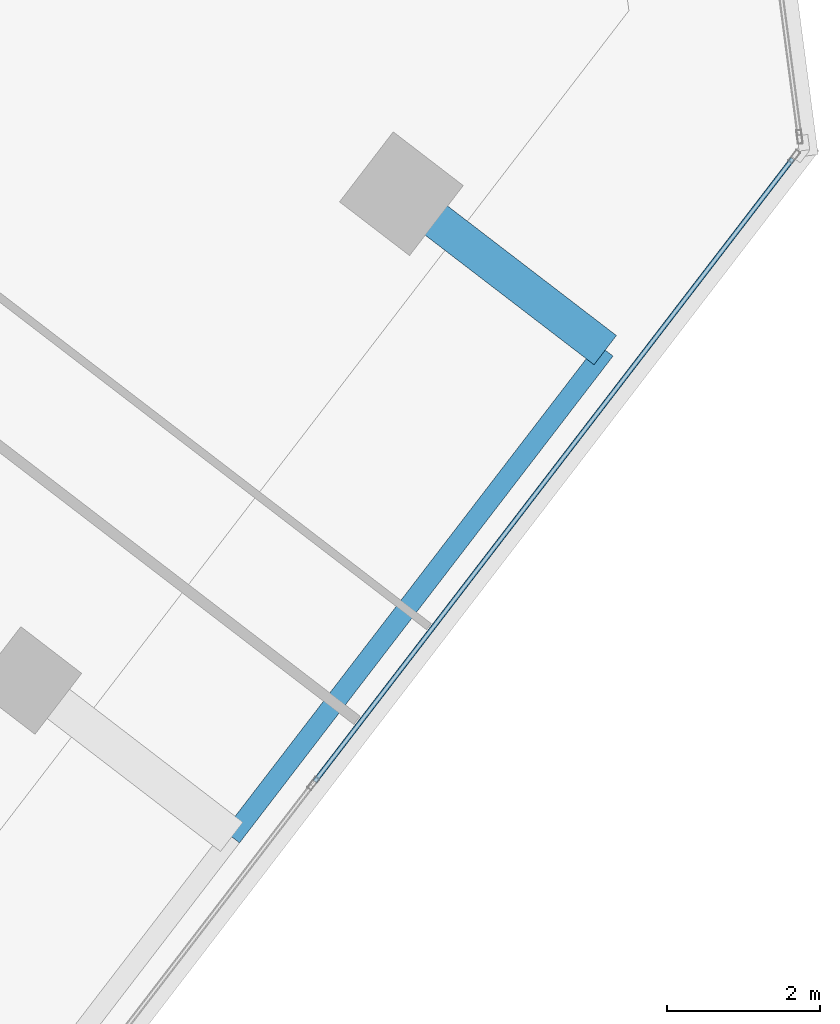
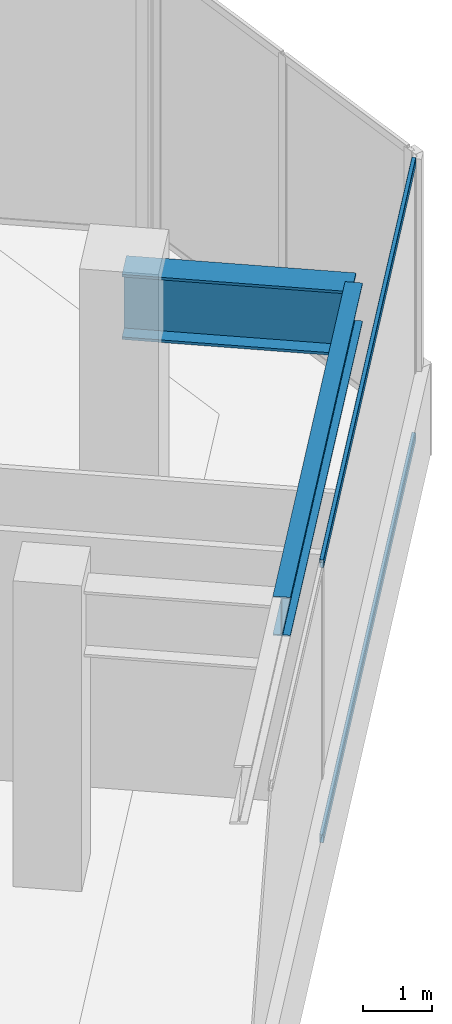
# One storey, part 8 of 23: 2 beams, 2 members, 1 element without a shape of its own.
"""IFC4 building model written with IfcOpenShell, lengths in metres."""

from ifc_helpers import new_model, si_unit, direction, frame, origin, origin_2d, place, context, subcontext, project, spatial, hollow_rectangle, i_section, extrude, source, transform, mapped, material, material_profile, profile_set, type_object, element, aggregate, save


model = new_model("IFC4")

# Units and contexts
model_context = context("Model", 3, precision=1e-05, world=origin(), true_north=direction((0.0, 1.0)))
body_context = subcontext(model_context, "Body", "Model", "MODEL_VIEW")
ifc_project = project(units=[si_unit("LENGTHUNIT", "METRE"), si_unit("AREAUNIT", "SQUARE_METRE"), si_unit("VOLUMEUNIT", "CUBIC_METRE"), si_unit("PLANEANGLEUNIT", "RADIAN"), si_unit("MASSUNIT", "GRAM", prefix="KILO")], contexts=[model_context])

# Site, building, storey
site_placement = place(None, origin())
site = spatial("IfcSite", under=ifc_project, at=site_placement, CompositionType="ELEMENT")
building_placement = place(site_placement, origin())
building = spatial("IfcBuilding", under=site, at=building_placement, Name="Torre Montelarca", CompositionType="ELEMENT")
storey_placement = place(building_placement, frame((0.0, 0.0, 204.39990234375)))
storey = spatial("IfcBuildingStorey", under=building, at=storey_placement, Name="L46", CompositionType="ELEMENT", Elevation=204.39990234375)

# Beams
ifc_material_1 = material(Name="Steel ASTM A572 Grade 50", Category="steel")
ifc_material_profile_1 = material_profile(ifc_material_1, i_section(OverallWidth=0.47998046875, OverallDepth=1.14990234375, WebThickness=0.02197265625, FlangeThickness=0.044921875, at=origin_2d()), Name="PG1150X480X22X45", Category="steel")
ifc_profile_set_1 = profile_set([ifc_material_profile_1], Name="Steel ASTM A572 Grade 50")
beam_type_1 = type_object("IfcBeamType", Name="BM-CG-PG1400-EXT", PredefinedType="USERDEFINED", material=ifc_profile_set_1)
shared_shape_1 = source(origin(), body_context, "Body", "SweptSolid", [
    extrude(i_section(OverallWidth=0.47998046875, OverallDepth=1.14990234375, WebThickness=0.02197265625, FlangeThickness=0.044921875, at=origin_2d()), origin(), (0.0, 0.0, 1.0), 3.349853515625),
])
beam_1_placement = place(storey_placement, frame((47.39404296875, 22.214599609375, 4.545166015625), z_axis=(0.793357620002, -0.608755851541, 0.0), x_axis=(0.608755851541, 0.793357620002, 0.0)))
element("IfcBeam", 1, at=beam_1_placement, inside=storey, type_object=beam_type_1, Name="L46 Sliding Tray Cantilever Girder East Y=40m (FLR)", ObjectType="CANTILEVER GIRDER", PredefinedType="USERDEFINED", context=body_context, shape_type="MappedRepresentation", body=[
    mapped(shared_shape_1, transform((0.0, 0.0, 0.0), scale=1.0)),
])
ifc_material_2 = material(Name="Steel ASTM A992 Grade 50", Category="steel")
ifc_material_profile_2 = material_profile(ifc_material_2, i_section(OverallWidth=0.256103515625, OverallDepth=0.693115234375, WebThickness=0.014404296875, FlangeThickness=0.023681640625, FilletRadius=0.01806640625, at=origin_2d()), Name="W690X170", Category="steel")
ifc_profile_set_2 = profile_set([ifc_material_profile_2], Name="Steel ASTM A992 Grade 50")
beam_type_2 = type_object("IfcBeamType", Name="BM-G-W690-EXT", PredefinedType="BEAM", material=ifc_profile_set_2)
shared_shape_2 = source(origin(), body_context, "Body", "SweptSolid", [
    extrude(i_section(OverallWidth=0.256103515625, OverallDepth=0.693115234375, WebThickness=0.014404296875, FlangeThickness=0.023681640625, FilletRadius=0.01806640625, at=origin_2d()), origin(), (0.0, 0.0, 1.0), 8.0),
])
beam_2_placement = place(storey_placement, frame((45.181640625, 13.82861328125, 4.774169921875), z_axis=(0.608772331974, 0.793344974033, 0.0), x_axis=(-0.793344974033, 0.608772331974, 0.0)))
element("IfcBeam", 2, at=beam_2_placement, inside=storey, type_object=beam_type_2, Name="L46 Sliding Tray Edge Girder East 32-40m (FLR)", PredefinedType="BEAM", context=body_context, shape_type="MappedRepresentation", body=[
    mapped(shared_shape_2, transform((0.0, 0.0, 0.0), scale=1.0)),
])

# Curtain wall, members
ifc_material_3 = material(Name="Insulated low-E laminated glass", Category="glass")
curtain_wall_type = type_object("IfcCurtainWallType", Name="CW-SYS-Z2", PredefinedType="USERDEFINED", material=ifc_material_3)
curtain_wall_placement = place(storey_placement, origin())
curtain_wall = element("IfcCurtainWall", 3, at=curtain_wall_placement, inside=storey, type_object=curtain_wall_type, Name="L46 Curtain Wall Run CW-T3-L46-E06-B1", ObjectType="UNITISED GLAZING", PredefinedType="USERDEFINED")
ifc_material_4 = material(Name="Anodised aluminium AA 6063-T6", Category="aluminium")
ifc_material_profile_3 = material_profile(ifc_material_4, hollow_rectangle(XDim=0.06494140625, YDim=0.139892578125, WallThickness=0.00390625, InnerFilletRadius=0.00390625, OuterFilletRadius=0.008056640625, at=origin_2d()), Name="ALU65X140X4", Category="aluminium")
ifc_profile_set_3 = profile_set([ifc_material_profile_3], Name="Anodised aluminium AA 6063-T6")
member_type = type_object("IfcMemberType", Name="CWT-ALU140", PredefinedType="USERDEFINED", material=ifc_profile_set_3)
shared_shape_3 = source(origin(), body_context, "Body", "SweptSolid", [
    extrude(hollow_rectangle(XDim=0.06494140625, YDim=0.139892578125, WallThickness=0.00390625, InnerFilletRadius=0.00390625, OuterFilletRadius=0.008056640625, at=origin_2d()), origin(), (0.0, 0.0, 1.0), 10.23681640625),
])
member_1_placement = place(storey_placement, frame((46.26513671875, 14.550537109375, 0.03271484375), z_axis=(0.608759443709, 0.793354863662, 0.0), x_axis=(-0.793354863662, 0.608759443709, 0.0)))
member_1 = element("IfcMember", 4, at=member_1_placement, type_object=member_type, Name="CW transom 2.1", ObjectType="TRANSOM", PredefinedType="USERDEFINED", context=body_context, shape_type="MappedRepresentation", body=[
    mapped(shared_shape_3, transform((0.0, 0.0, 0.0), scale=1.0)),
])
member_2_placement = place(storey_placement, frame((46.26513671875, 14.550537109375, 4.8876953125), z_axis=(0.608759443709, 0.793354863662, 0.0), x_axis=(-0.793354863662, 0.608759443709, 0.0)))
member_2 = element("IfcMember", 5, at=member_2_placement, type_object=member_type, Name="CW transom 2.2", ObjectType="TRANSOM", PredefinedType="USERDEFINED", context=body_context, shape_type="MappedRepresentation", body=[
    mapped(shared_shape_3, transform((0.0, 0.0, 0.0), scale=1.0)),
])
aggregate(curtain_wall, [member_1, member_2])

save(model, "model.ifc")
